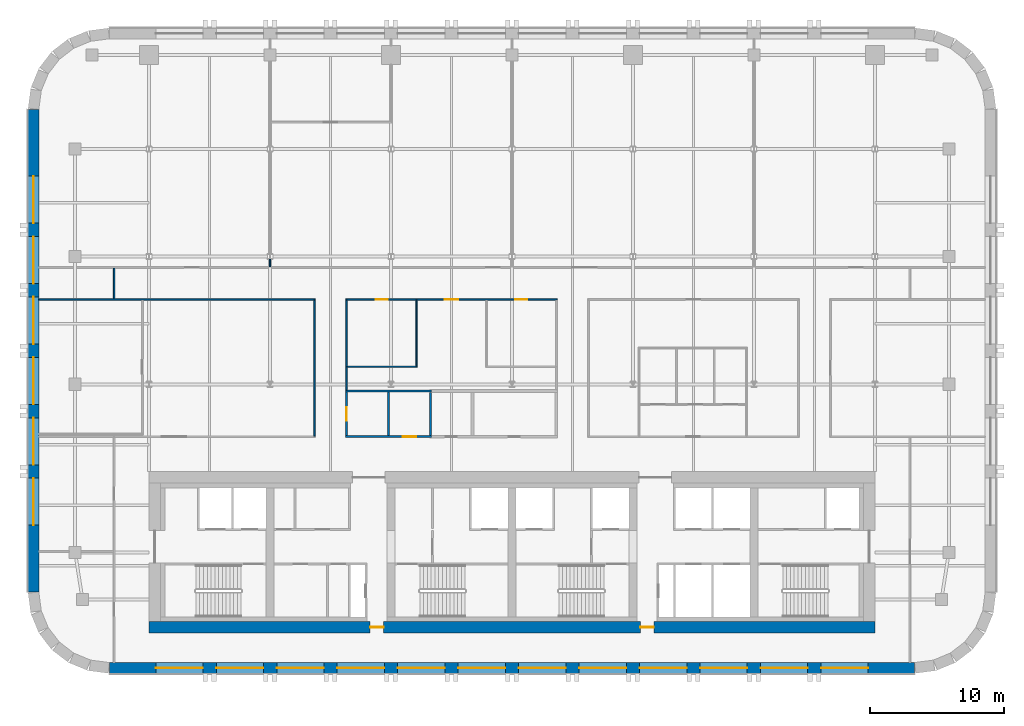
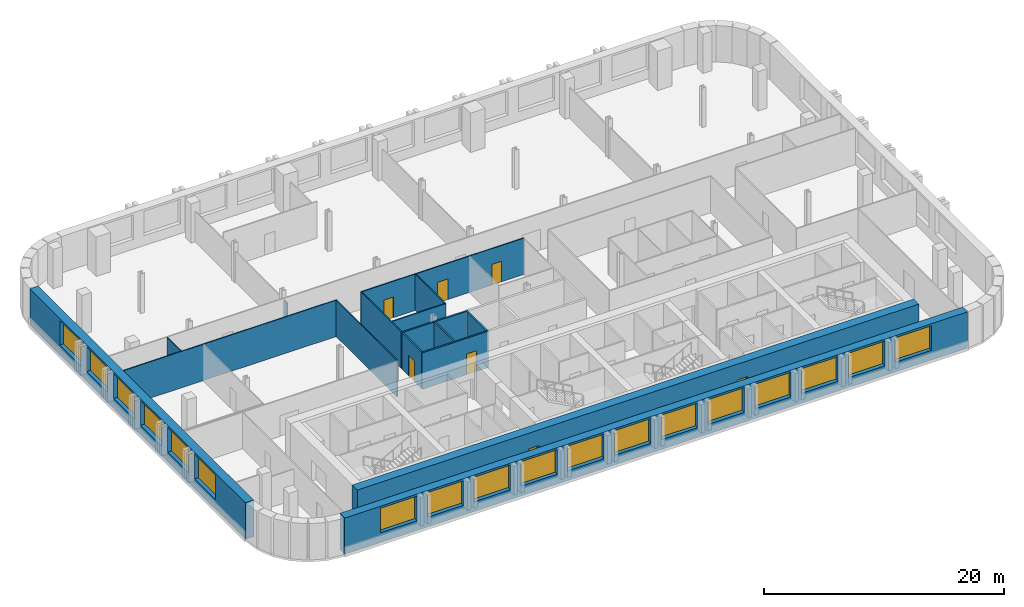
# One storey, part 4 of 11: 18 windows, 16 walls, 7 doors, 25 openings.
"""IFC4 building model written with IfcOpenShell, lengths in metres."""

from ifc_helpers import new_model, si_unit, direction, frame, frame_2d, origin, place, context, subcontext, project, spatial, rectangle, extrude, material, layer, layer_set, type_object, element, fill, save


model = new_model("IFC4")

# Units and contexts
model_context = context("Model", 3, precision=1e-05, world=origin(), true_north=direction((0.0, 1.0)))
body_context = subcontext(model_context, "Body", "Model", "MODEL_VIEW")
ifc_project = project(units=[si_unit("LENGTHUNIT", "METRE"), si_unit("AREAUNIT", "SQUARE_METRE"), si_unit("VOLUMEUNIT", "CUBIC_METRE"), si_unit("PLANEANGLEUNIT", "RADIAN"), si_unit("MASSUNIT", "GRAM", prefix="KILO")], contexts=[model_context])

# Site, building, storey
site_placement = place(None, origin())
site = spatial("IfcSite", under=ifc_project, at=site_placement, CompositionType="ELEMENT")
building_placement = place(site_placement, origin())
building = spatial("IfcBuilding", under=site, at=building_placement, Name="Zellij Exchange Tower", CompositionType="ELEMENT")
storey_placement = place(building_placement, frame((0.0, 0.0, 208.5)))
storey = spatial("IfcBuildingStorey", under=building, at=storey_placement, Name="L48", CompositionType="ELEMENT", Elevation=208.5)

# Wall, openings, doors
ifc_material_1 = material(Name="Concrete C60/75", Category="concrete")
ifc_layer_1 = layer(ifc_material_1, 0.85009765625)
ifc_layer_set_1 = layer_set([ifc_layer_1], Name="Concrete C60/75")
wall_type_1 = type_object("IfcWallType", Name="CORE-SW 850 C60/75", PredefinedType="SHEAR", material=ifc_layer_set_1)
wall_1_placement = place(storey_placement, frame((-27.0, -13.574951171875, 0.0), z_axis=(0.0, 0.0, 1.0), x_axis=(1.0, 0.0, 0.0)))
wall_1 = element("IfcWall", 1, at=wall_1_placement, inside=storey, type_object=wall_type_1, Name="Core shear wall rear L48", PredefinedType="SHEAR", context=body_context, shape_type="SweptSolid", body=[
    extrude(rectangle(XDim=54.0, YDim=0.85009765625, at=frame_2d((27.0, 0.0))), origin(), (0.0, 0.0, 1.0), 3.699951171875),
])
opening_1_placement = place(wall_1_placement, frame((16.449951171875, 0.0, 0.0)))
opening_1 = element("IfcOpeningElement", 2, at=opening_1_placement, cuts=wall_1, Name="Opening CA-25.11", PredefinedType="OPENING", context=body_context, shape_type="SweptSolid", body=[
    extrude(rectangle(XDim=1.0, YDim=2.10009765625, at=frame_2d((0.5, 1.050048828125))), frame((0.0, 0.43701171875, 0.0), z_axis=(0.0, -1.0, 0.0), x_axis=(1.0, 0.0, 0.0)), (0.0, 0.0, 1.0), 0.8740234375),
])
opening_2_placement = place(wall_1_placement, frame((36.550048828125, 0.0, 0.0)))
opening_2 = element("IfcOpeningElement", 3, at=opening_2_placement, cuts=wall_1, Name="Opening CA-25.19", PredefinedType="OPENING", context=body_context, shape_type="SweptSolid", body=[
    extrude(rectangle(XDim=1.0, YDim=2.10009765625, at=frame_2d((0.5, 1.050048828125))), frame((0.0, 0.43701171875, 0.0), z_axis=(0.0, -1.0, 0.0), x_axis=(1.0, 0.0, 0.0)), (0.0, 0.0, 1.0), 0.8740234375),
])
ifc_material_2 = material(Name="Hollow metal fire door")
door_type_1 = type_object("IfcDoorType", Name="CORE-D CR Core rear door 1000x2100 20 MIN", OperationType="NOTDEFINED", PredefinedType="DOOR", material=ifc_material_2)
door_1_placement = place(opening_1_placement, origin())
door_1 = element("IfcDoor", 4, at=door_1_placement, inside=storey, type_object=door_type_1, Name="Core rear door CA-25.11", OperationType="SINGLE_SWING_RIGHT", OverallHeight=2.10009765625, OverallWidth=1.0, PredefinedType="DOOR", context=body_context, shape_type="SweptSolid", body=[
    extrude(rectangle(XDim=1.0, YDim=2.10009765625, at=frame_2d((0.5, 1.050048828125))), frame((0.0, 0.02490234375, 0.0), z_axis=(0.0, -1.0, 0.0), x_axis=(1.0, 0.0, 0.0)), (0.0, 0.0, 1.0), 0.050048828125),
])
fill(opening_1, door_1)
door_2_placement = place(opening_2_placement, origin())
door_2 = element("IfcDoor", 5, at=door_2_placement, inside=storey, type_object=door_type_1, Name="Core rear door CA-25.19", OperationType="SINGLE_SWING_LEFT", OverallHeight=2.10009765625, OverallWidth=1.0, PredefinedType="DOOR", context=body_context, shape_type="SweptSolid", body=[
    extrude(rectangle(XDim=1.0, YDim=2.10009765625, at=frame_2d((0.5, 1.050048828125))), frame((0.0, 0.02490234375, 0.0), z_axis=(0.0, -1.0, 0.0), x_axis=(1.0, 0.0, 0.0)), (0.0, 0.0, 1.0), 0.050048828125),
])
fill(opening_2, door_2)

# Wall, openings, windows
ifc_material_3 = material(Name="Precast concrete C40/50", Category="concrete")
ifc_layer_2 = layer(ifc_material_3, 0.800048828125)
ifc_layer_set_2 = layer_set([ifc_layer_2], Name="Precast concrete C40/50")
wall_type_2 = type_object("IfcWallType", Name="ENV-EW1 Precast stone-piered wall 800", PredefinedType="SOLIDWALL", material=ifc_layer_set_2)
wall_2_placement = place(storey_placement, frame((-29.947509765625, -16.60009765625, 0.0), z_axis=(0.0, 0.0, 1.0), x_axis=(1.0, 0.0, 0.0)))
wall_2 = element("IfcWall", 6, at=wall_2_placement, inside=storey, type_object=wall_type_2, Name="fac.L48.00", PredefinedType="SOLIDWALL", context=body_context, shape_type="SweptSolid", body=[
    extrude(rectangle(XDim=59.89501953125, YDim=0.800048828125, at=frame_2d((29.947509765625, 0.0))), origin(), (0.0, 0.0, 1.0), 3.699951171875),
])
opening_3_placement = place(wall_2_placement, frame((3.447509765625, 0.0, 1.0)))
opening_3 = element("IfcOpeningElement", 7, at=opening_3_placement, cuts=wall_2, Name="Opening FZ3.01", PredefinedType="OPENING", context=body_context, shape_type="SweptSolid", body=[
    extrude(rectangle(XDim=3.5, YDim=2.5, at=frame_2d((1.75, 1.25))), frame((0.0, 0.412109375, 0.0), z_axis=(0.0, -1.0, 0.0), x_axis=(1.0, 0.0, 0.0)), (0.0, 0.0, 1.0), 0.823974609375),
])
opening_4_placement = place(wall_2_placement, frame((7.947509765625, 0.0, 1.0)))
opening_4 = element("IfcOpeningElement", 8, at=opening_4_placement, cuts=wall_2, Name="Opening FZ3.02", PredefinedType="OPENING", context=body_context, shape_type="SweptSolid", body=[
    extrude(rectangle(XDim=3.5, YDim=2.5, at=frame_2d((1.75, 1.25))), frame((0.0, 0.412109375, 0.0), z_axis=(0.0, -1.0, 0.0), x_axis=(1.0, 0.0, 0.0)), (0.0, 0.0, 1.0), 0.823974609375),
])
opening_5_placement = place(wall_2_placement, frame((12.447509765625, 0.0, 1.0)))
opening_5 = element("IfcOpeningElement", 9, at=opening_5_placement, cuts=wall_2, Name="Opening FZ3.03", PredefinedType="OPENING", context=body_context, shape_type="SweptSolid", body=[
    extrude(rectangle(XDim=3.5, YDim=2.5, at=frame_2d((1.75, 1.25))), frame((0.0, 0.412109375, 0.0), z_axis=(0.0, -1.0, 0.0), x_axis=(1.0, 0.0, 0.0)), (0.0, 0.0, 1.0), 0.823974609375),
])
opening_6_placement = place(wall_2_placement, frame((16.947509765625, 0.0, 1.0)))
opening_6 = element("IfcOpeningElement", 10, at=opening_6_placement, cuts=wall_2, Name="Opening FZ3.04", PredefinedType="OPENING", context=body_context, shape_type="SweptSolid", body=[
    extrude(rectangle(XDim=3.5, YDim=2.5, at=frame_2d((1.75, 1.25))), frame((0.0, 0.412109375, 0.0), z_axis=(0.0, -1.0, 0.0), x_axis=(1.0, 0.0, 0.0)), (0.0, 0.0, 1.0), 0.823974609375),
])
opening_7_placement = place(wall_2_placement, frame((21.447509765625, 0.0, 1.0)))
opening_7 = element("IfcOpeningElement", 11, at=opening_7_placement, cuts=wall_2, Name="Opening FZ3.05", PredefinedType="OPENING", context=body_context, shape_type="SweptSolid", body=[
    extrude(rectangle(XDim=3.5, YDim=2.5, at=frame_2d((1.75, 1.25))), frame((0.0, 0.412109375, 0.0), z_axis=(0.0, -1.0, 0.0), x_axis=(1.0, 0.0, 0.0)), (0.0, 0.0, 1.0), 0.823974609375),
])
opening_8_placement = place(wall_2_placement, frame((25.947509765625, 0.0, 1.0)))
opening_8 = element("IfcOpeningElement", 12, at=opening_8_placement, cuts=wall_2, Name="Opening FZ3.06", PredefinedType="OPENING", context=body_context, shape_type="SweptSolid", body=[
    extrude(rectangle(XDim=3.5, YDim=2.5, at=frame_2d((1.75, 1.25))), frame((0.0, 0.412109375, 0.0), z_axis=(0.0, -1.0, 0.0), x_axis=(1.0, 0.0, 0.0)), (0.0, 0.0, 1.0), 0.823974609375),
])
opening_9_placement = place(wall_2_placement, frame((30.447509765625, 0.0, 1.0)))
opening_9 = element("IfcOpeningElement", 13, at=opening_9_placement, cuts=wall_2, Name="Opening FZ3.07", PredefinedType="OPENING", context=body_context, shape_type="SweptSolid", body=[
    extrude(rectangle(XDim=3.5, YDim=2.5, at=frame_2d((1.75, 1.25))), frame((0.0, 0.412109375, 0.0), z_axis=(0.0, -1.0, 0.0), x_axis=(1.0, 0.0, 0.0)), (0.0, 0.0, 1.0), 0.823974609375),
])
opening_10_placement = place(wall_2_placement, frame((34.947509765625, 0.0, 1.0)))
opening_10 = element("IfcOpeningElement", 14, at=opening_10_placement, cuts=wall_2, Name="Opening FZ3.08", PredefinedType="OPENING", context=body_context, shape_type="SweptSolid", body=[
    extrude(rectangle(XDim=3.5, YDim=2.5, at=frame_2d((1.75, 1.25))), frame((0.0, 0.412109375, 0.0), z_axis=(0.0, -1.0, 0.0), x_axis=(1.0, 0.0, 0.0)), (0.0, 0.0, 1.0), 0.823974609375),
])
opening_11_placement = place(wall_2_placement, frame((39.447509765625, 0.0, 1.0)))
opening_11 = element("IfcOpeningElement", 15, at=opening_11_placement, cuts=wall_2, Name="Opening FZ3.09", PredefinedType="OPENING", context=body_context, shape_type="SweptSolid", body=[
    extrude(rectangle(XDim=3.5, YDim=2.5, at=frame_2d((1.75, 1.25))), frame((0.0, 0.412109375, 0.0), z_axis=(0.0, -1.0, 0.0), x_axis=(1.0, 0.0, 0.0)), (0.0, 0.0, 1.0), 0.823974609375),
])
opening_12_placement = place(wall_2_placement, frame((43.947509765625, 0.0, 1.0)))
opening_12 = element("IfcOpeningElement", 16, at=opening_12_placement, cuts=wall_2, Name="Opening FZ3.10", PredefinedType="OPENING", context=body_context, shape_type="SweptSolid", body=[
    extrude(rectangle(XDim=3.5, YDim=2.5, at=frame_2d((1.75, 1.25))), frame((0.0, 0.412109375, 0.0), z_axis=(0.0, -1.0, 0.0), x_axis=(1.0, 0.0, 0.0)), (0.0, 0.0, 1.0), 0.823974609375),
])
opening_13_placement = place(wall_2_placement, frame((48.447509765625, 0.0, 1.0)))
opening_13 = element("IfcOpeningElement", 17, at=opening_13_placement, cuts=wall_2, Name="Opening FZ3.11", PredefinedType="OPENING", context=body_context, shape_type="SweptSolid", body=[
    extrude(rectangle(XDim=3.5, YDim=2.5, at=frame_2d((1.75, 1.25))), frame((0.0, 0.412109375, 0.0), z_axis=(0.0, -1.0, 0.0), x_axis=(1.0, 0.0, 0.0)), (0.0, 0.0, 1.0), 0.823974609375),
])
opening_14_placement = place(wall_2_placement, frame((52.947509765625, 0.0, 1.0)))
opening_14 = element("IfcOpeningElement", 18, at=opening_14_placement, cuts=wall_2, Name="Opening FZ3.12", PredefinedType="OPENING", context=body_context, shape_type="SweptSolid", body=[
    extrude(rectangle(XDim=3.5, YDim=2.5, at=frame_2d((1.75, 1.25))), frame((0.0, 0.412109375, 0.0), z_axis=(0.0, -1.0, 0.0), x_axis=(1.0, 0.0, 0.0)), (0.0, 0.0, 1.0), 0.823974609375),
])
ifc_material_4 = material(Name="Aluminium frame with insulating glass", Category="aluminium")
window_type = type_object("IfcWindowType", Name="ENV-W1 Window 3500x2500", PartitioningType="SINGLE_PANEL", PredefinedType="WINDOW", material=ifc_material_4)
window_1_placement = place(opening_3_placement, origin())
window_1 = element("IfcWindow", 19, at=window_1_placement, inside=storey, type_object=window_type, Name="Window FZ3.01", OverallHeight=2.5, OverallWidth=3.5, PartitioningType="SINGLE_PANEL", PredefinedType="WINDOW", context=body_context, shape_type="SweptSolid", body=[
    extrude(rectangle(XDim=3.5, YDim=2.5, at=frame_2d((1.75, 1.25))), frame((0.0, 0.030029296875, 0.0), z_axis=(0.0, -1.0, 0.0), x_axis=(1.0, 0.0, 0.0)), (0.0, 0.0, 1.0), 0.06005859375),
])
fill(opening_3, window_1)
window_2_placement = place(opening_4_placement, origin())
window_2 = element("IfcWindow", 20, at=window_2_placement, inside=storey, type_object=window_type, Name="Window FZ3.02", OverallHeight=2.5, OverallWidth=3.5, PartitioningType="SINGLE_PANEL", PredefinedType="WINDOW", context=body_context, shape_type="SweptSolid", body=[
    extrude(rectangle(XDim=3.5, YDim=2.5, at=frame_2d((1.75, 1.25))), frame((0.0, 0.030029296875, 0.0), z_axis=(0.0, -1.0, 0.0), x_axis=(1.0, 0.0, 0.0)), (0.0, 0.0, 1.0), 0.06005859375),
])
fill(opening_4, window_2)
window_3_placement = place(opening_5_placement, origin())
window_3 = element("IfcWindow", 21, at=window_3_placement, inside=storey, type_object=window_type, Name="Window FZ3.03", OverallHeight=2.5, OverallWidth=3.5, PartitioningType="SINGLE_PANEL", PredefinedType="WINDOW", context=body_context, shape_type="SweptSolid", body=[
    extrude(rectangle(XDim=3.5, YDim=2.5, at=frame_2d((1.75, 1.25))), frame((0.0, 0.030029296875, 0.0), z_axis=(0.0, -1.0, 0.0), x_axis=(1.0, 0.0, 0.0)), (0.0, 0.0, 1.0), 0.06005859375),
])
fill(opening_5, window_3)
window_4_placement = place(opening_6_placement, origin())
window_4 = element("IfcWindow", 22, at=window_4_placement, inside=storey, type_object=window_type, Name="Window FZ3.04", OverallHeight=2.5, OverallWidth=3.5, PartitioningType="SINGLE_PANEL", PredefinedType="WINDOW", context=body_context, shape_type="SweptSolid", body=[
    extrude(rectangle(XDim=3.5, YDim=2.5, at=frame_2d((1.75, 1.25))), frame((0.0, 0.030029296875, 0.0), z_axis=(0.0, -1.0, 0.0), x_axis=(1.0, 0.0, 0.0)), (0.0, 0.0, 1.0), 0.06005859375),
])
fill(opening_6, window_4)
window_5_placement = place(opening_7_placement, origin())
window_5 = element("IfcWindow", 23, at=window_5_placement, inside=storey, type_object=window_type, Name="Window FZ3.05", OverallHeight=2.5, OverallWidth=3.5, PartitioningType="SINGLE_PANEL", PredefinedType="WINDOW", context=body_context, shape_type="SweptSolid", body=[
    extrude(rectangle(XDim=3.5, YDim=2.5, at=frame_2d((1.75, 1.25))), frame((0.0, 0.030029296875, 0.0), z_axis=(0.0, -1.0, 0.0), x_axis=(1.0, 0.0, 0.0)), (0.0, 0.0, 1.0), 0.06005859375),
])
fill(opening_7, window_5)
window_6_placement = place(opening_8_placement, origin())
window_6 = element("IfcWindow", 24, at=window_6_placement, inside=storey, type_object=window_type, Name="Window FZ3.06", OverallHeight=2.5, OverallWidth=3.5, PartitioningType="SINGLE_PANEL", PredefinedType="WINDOW", context=body_context, shape_type="SweptSolid", body=[
    extrude(rectangle(XDim=3.5, YDim=2.5, at=frame_2d((1.75, 1.25))), frame((0.0, 0.030029296875, 0.0), z_axis=(0.0, -1.0, 0.0), x_axis=(1.0, 0.0, 0.0)), (0.0, 0.0, 1.0), 0.06005859375),
])
fill(opening_8, window_6)
window_7_placement = place(opening_9_placement, origin())
window_7 = element("IfcWindow", 25, at=window_7_placement, inside=storey, type_object=window_type, Name="Window FZ3.07", OverallHeight=2.5, OverallWidth=3.5, PartitioningType="SINGLE_PANEL", PredefinedType="WINDOW", context=body_context, shape_type="SweptSolid", body=[
    extrude(rectangle(XDim=3.5, YDim=2.5, at=frame_2d((1.75, 1.25))), frame((0.0, 0.030029296875, 0.0), z_axis=(0.0, -1.0, 0.0), x_axis=(1.0, 0.0, 0.0)), (0.0, 0.0, 1.0), 0.06005859375),
])
fill(opening_9, window_7)
window_8_placement = place(opening_10_placement, origin())
window_8 = element("IfcWindow", 26, at=window_8_placement, inside=storey, type_object=window_type, Name="Window FZ3.08", OverallHeight=2.5, OverallWidth=3.5, PartitioningType="SINGLE_PANEL", PredefinedType="WINDOW", context=body_context, shape_type="SweptSolid", body=[
    extrude(rectangle(XDim=3.5, YDim=2.5, at=frame_2d((1.75, 1.25))), frame((0.0, 0.030029296875, 0.0), z_axis=(0.0, -1.0, 0.0), x_axis=(1.0, 0.0, 0.0)), (0.0, 0.0, 1.0), 0.06005859375),
])
fill(opening_10, window_8)
window_9_placement = place(opening_11_placement, origin())
window_9 = element("IfcWindow", 27, at=window_9_placement, inside=storey, type_object=window_type, Name="Window FZ3.09", OverallHeight=2.5, OverallWidth=3.5, PartitioningType="SINGLE_PANEL", PredefinedType="WINDOW", context=body_context, shape_type="SweptSolid", body=[
    extrude(rectangle(XDim=3.5, YDim=2.5, at=frame_2d((1.75, 1.25))), frame((0.0, 0.030029296875, 0.0), z_axis=(0.0, -1.0, 0.0), x_axis=(1.0, 0.0, 0.0)), (0.0, 0.0, 1.0), 0.06005859375),
])
fill(opening_11, window_9)
window_10_placement = place(opening_12_placement, origin())
window_10 = element("IfcWindow", 28, at=window_10_placement, inside=storey, type_object=window_type, Name="Window FZ3.10", OverallHeight=2.5, OverallWidth=3.5, PartitioningType="SINGLE_PANEL", PredefinedType="WINDOW", context=body_context, shape_type="SweptSolid", body=[
    extrude(rectangle(XDim=3.5, YDim=2.5, at=frame_2d((1.75, 1.25))), frame((0.0, 0.030029296875, 0.0), z_axis=(0.0, -1.0, 0.0), x_axis=(1.0, 0.0, 0.0)), (0.0, 0.0, 1.0), 0.06005859375),
])
fill(opening_12, window_10)
window_11_placement = place(opening_13_placement, origin())
window_11 = element("IfcWindow", 29, at=window_11_placement, inside=storey, type_object=window_type, Name="Window FZ3.11", OverallHeight=2.5, OverallWidth=3.5, PartitioningType="SINGLE_PANEL", PredefinedType="WINDOW", context=body_context, shape_type="SweptSolid", body=[
    extrude(rectangle(XDim=3.5, YDim=2.5, at=frame_2d((1.75, 1.25))), frame((0.0, 0.030029296875, 0.0), z_axis=(0.0, -1.0, 0.0), x_axis=(1.0, 0.0, 0.0)), (0.0, 0.0, 1.0), 0.06005859375),
])
fill(opening_13, window_11)
window_12_placement = place(opening_14_placement, origin())
window_12 = element("IfcWindow", 30, at=window_12_placement, inside=storey, type_object=window_type, Name="Window FZ3.12", OverallHeight=2.5, OverallWidth=3.5, PartitioningType="SINGLE_PANEL", PredefinedType="WINDOW", context=body_context, shape_type="SweptSolid", body=[
    extrude(rectangle(XDim=3.5, YDim=2.5, at=frame_2d((1.75, 1.25))), frame((0.0, 0.030029296875, 0.0), z_axis=(0.0, -1.0, 0.0), x_axis=(1.0, 0.0, 0.0)), (0.0, 0.0, 1.0), 0.06005859375),
])
fill(opening_14, window_12)

wall_3_placement = place(storey_placement, frame((-35.60009765625, 24.947509765625, 0.0), z_axis=(0.0, 0.0, 1.0), x_axis=(0.0, -1.0, 0.0)))
wall_3 = element("IfcWall", 31, at=wall_3_placement, inside=storey, type_object=wall_type_2, Name="fac.L48.21", PredefinedType="SOLIDWALL", context=body_context, shape_type="SweptSolid", body=[
    extrude(rectangle(XDim=35.89501953125, YDim=0.800048828125, at=frame_2d((17.947509765625, 0.0))), origin(), (0.0, 0.0, 1.0), 3.699951171875),
])
opening_15_placement = place(wall_3_placement, frame((4.9638671875, 0.0, 1.0)))
opening_15 = element("IfcOpeningElement", 32, at=opening_15_placement, cuts=wall_3, Name="Opening FZ3.31", PredefinedType="OPENING", context=body_context, shape_type="SweptSolid", body=[
    extrude(rectangle(XDim=3.5, YDim=2.5, at=frame_2d((1.75, 1.25))), frame((0.0, 0.412109375, 0.0), z_axis=(0.0, -1.0, 0.0), x_axis=(1.0, 0.0, 0.0)), (0.0, 0.0, 1.0), 0.823974609375),
])
opening_16_placement = place(wall_3_placement, frame((9.45751953125, 0.0, 1.0)))
opening_16 = element("IfcOpeningElement", 33, at=opening_16_placement, cuts=wall_3, Name="Opening FZ3.32", PredefinedType="OPENING", context=body_context, shape_type="SweptSolid", body=[
    extrude(rectangle(XDim=3.5, YDim=2.5, at=frame_2d((1.75, 1.25))), frame((0.0, 0.412109375, 0.0), z_axis=(0.0, -1.0, 0.0), x_axis=(1.0, 0.0, 0.0)), (0.0, 0.0, 1.0), 0.823974609375),
])
opening_17_placement = place(wall_3_placement, frame((13.950927734375, 0.0, 1.0)))
opening_17 = element("IfcOpeningElement", 34, at=opening_17_placement, cuts=wall_3, Name="Opening FZ3.33", PredefinedType="OPENING", context=body_context, shape_type="SweptSolid", body=[
    extrude(rectangle(XDim=3.5, YDim=2.5, at=frame_2d((1.75, 1.25))), frame((0.0, 0.412109375, 0.0), z_axis=(0.0, -1.0, 0.0), x_axis=(1.0, 0.0, 0.0)), (0.0, 0.0, 1.0), 0.823974609375),
])
opening_18_placement = place(wall_3_placement, frame((18.4443359375, 0.0, 1.0)))
opening_18 = element("IfcOpeningElement", 35, at=opening_18_placement, cuts=wall_3, Name="Opening FZ3.34", PredefinedType="OPENING", context=body_context, shape_type="SweptSolid", body=[
    extrude(rectangle(XDim=3.5, YDim=2.5, at=frame_2d((1.75, 1.25))), frame((0.0, 0.412109375, 0.0), z_axis=(0.0, -1.0, 0.0), x_axis=(1.0, 0.0, 0.0)), (0.0, 0.0, 1.0), 0.823974609375),
])
opening_19_placement = place(wall_3_placement, frame((22.937744140625, 0.0, 1.0)))
opening_19 = element("IfcOpeningElement", 36, at=opening_19_placement, cuts=wall_3, Name="Opening FZ3.35", PredefinedType="OPENING", context=body_context, shape_type="SweptSolid", body=[
    extrude(rectangle(XDim=3.5, YDim=2.5, at=frame_2d((1.75, 1.25))), frame((0.0, 0.412109375, 0.0), z_axis=(0.0, -1.0, 0.0), x_axis=(1.0, 0.0, 0.0)), (0.0, 0.0, 1.0), 0.823974609375),
])
opening_20_placement = place(wall_3_placement, frame((27.43115234375, 0.0, 1.0)))
opening_20 = element("IfcOpeningElement", 37, at=opening_20_placement, cuts=wall_3, Name="Opening FZ3.36", PredefinedType="OPENING", context=body_context, shape_type="SweptSolid", body=[
    extrude(rectangle(XDim=3.5, YDim=2.5, at=frame_2d((1.75, 1.25))), frame((0.0, 0.412109375, 0.0), z_axis=(0.0, -1.0, 0.0), x_axis=(1.0, 0.0, 0.0)), (0.0, 0.0, 1.0), 0.823974609375),
])
window_13_placement = place(opening_15_placement, origin())
window_13 = element("IfcWindow", 38, at=window_13_placement, inside=storey, type_object=window_type, Name="Window FZ3.31", OverallHeight=2.5, OverallWidth=3.5, PartitioningType="SINGLE_PANEL", PredefinedType="WINDOW", context=body_context, shape_type="SweptSolid", body=[
    extrude(rectangle(XDim=3.5, YDim=2.5, at=frame_2d((1.75, 1.25))), frame((0.0, 0.030029296875, 0.0), z_axis=(0.0, -1.0, 0.0), x_axis=(1.0, 0.0, 0.0)), (0.0, 0.0, 1.0), 0.06005859375),
])
fill(opening_15, window_13)
window_14_placement = place(opening_16_placement, origin())
window_14 = element("IfcWindow", 39, at=window_14_placement, inside=storey, type_object=window_type, Name="Window FZ3.32", OverallHeight=2.5, OverallWidth=3.5, PartitioningType="SINGLE_PANEL", PredefinedType="WINDOW", context=body_context, shape_type="SweptSolid", body=[
    extrude(rectangle(XDim=3.5, YDim=2.5, at=frame_2d((1.75, 1.25))), frame((0.0, 0.030029296875, 0.0), z_axis=(0.0, -1.0, 0.0), x_axis=(1.0, 0.0, 0.0)), (0.0, 0.0, 1.0), 0.06005859375),
])
fill(opening_16, window_14)
window_15_placement = place(opening_17_placement, origin())
window_15 = element("IfcWindow", 40, at=window_15_placement, inside=storey, type_object=window_type, Name="Window FZ3.33", OverallHeight=2.5, OverallWidth=3.5, PartitioningType="SINGLE_PANEL", PredefinedType="WINDOW", context=body_context, shape_type="SweptSolid", body=[
    extrude(rectangle(XDim=3.5, YDim=2.5, at=frame_2d((1.75, 1.25))), frame((0.0, 0.030029296875, 0.0), z_axis=(0.0, -1.0, 0.0), x_axis=(1.0, 0.0, 0.0)), (0.0, 0.0, 1.0), 0.06005859375),
])
fill(opening_17, window_15)
window_16_placement = place(opening_18_placement, origin())
window_16 = element("IfcWindow", 41, at=window_16_placement, inside=storey, type_object=window_type, Name="Window FZ3.34", OverallHeight=2.5, OverallWidth=3.5, PartitioningType="SINGLE_PANEL", PredefinedType="WINDOW", context=body_context, shape_type="SweptSolid", body=[
    extrude(rectangle(XDim=3.5, YDim=2.5, at=frame_2d((1.75, 1.25))), frame((0.0, 0.030029296875, 0.0), z_axis=(0.0, -1.0, 0.0), x_axis=(1.0, 0.0, 0.0)), (0.0, 0.0, 1.0), 0.06005859375),
])
fill(opening_18, window_16)
window_17_placement = place(opening_19_placement, origin())
window_17 = element("IfcWindow", 42, at=window_17_placement, inside=storey, type_object=window_type, Name="Window FZ3.35", OverallHeight=2.5, OverallWidth=3.5, PartitioningType="SINGLE_PANEL", PredefinedType="WINDOW", context=body_context, shape_type="SweptSolid", body=[
    extrude(rectangle(XDim=3.5, YDim=2.5, at=frame_2d((1.75, 1.25))), frame((0.0, 0.030029296875, 0.0), z_axis=(0.0, -1.0, 0.0), x_axis=(1.0, 0.0, 0.0)), (0.0, 0.0, 1.0), 0.06005859375),
])
fill(opening_19, window_17)
window_18_placement = place(opening_20_placement, origin())
window_18 = element("IfcWindow", 43, at=window_18_placement, inside=storey, type_object=window_type, Name="Window FZ3.36", OverallHeight=2.5, OverallWidth=3.5, PartitioningType="SINGLE_PANEL", PredefinedType="WINDOW", context=body_context, shape_type="SweptSolid", body=[
    extrude(rectangle(XDim=3.5, YDim=2.5, at=frame_2d((1.75, 1.25))), frame((0.0, 0.030029296875, 0.0), z_axis=(0.0, -1.0, 0.0), x_axis=(1.0, 0.0, 0.0)), (0.0, 0.0, 1.0), 0.06005859375),
])
fill(opening_20, window_18)

# Walls
ifc_material_5 = material(Name="Gypsum board partition on steel studs", Category="steel")
ifc_layer_3 = layer(ifc_material_5, 0.10009765625)
ifc_layer_set_3 = layer_set([ifc_layer_3], Name="Gypsum board partition on steel studs")
wall_type_3 = type_object("IfcWallType", Name="FIT-PARTITION-100", PredefinedType="PARTITIONING", material=ifc_layer_set_3)
wall_4_placement = place(storey_placement, frame((-14.699951171875, 0.64990234375, 0.0), z_axis=(0.0, 0.0, 1.0), x_axis=(0.0, 1.0, 0.0)))
element("IfcWall", 44, at=wall_4_placement, inside=storey, type_object=wall_type_3, Name="FIT-PARTITION-100 006", PredefinedType="PARTITIONING", context=body_context, shape_type="SweptSolid", body=[
    extrude(rectangle(XDim=10.10009765625, YDim=0.10009765625, at=frame_2d((5.050048828125, 0.0))), origin(), (0.0, 0.0, 1.0), 3.699951171875),
])
wall_5_placement = place(storey_placement, frame((-12.300048828125, 4.074951171875, 0.0), z_axis=(0.0, 0.0, 1.0), x_axis=(0.0, 1.0, 0.0)))
element("IfcWall", 45, at=wall_5_placement, inside=storey, type_object=wall_type_3, Name="FIT-PARTITION-100 027", PredefinedType="PARTITIONING", context=body_context, shape_type="SweptSolid", body=[
    extrude(rectangle(XDim=6.675048828125, YDim=0.10009765625, at=frame_2d((3.33740234375, 0.0))), origin(), (0.0, 0.0, 1.0), 3.699951171875),
])
wall_6_placement = place(storey_placement, frame((-12.25, 5.800048828125, 0.0), z_axis=(0.0, 0.0, 1.0), x_axis=(1.0, 0.0, 0.0)))
element("IfcWall", 46, at=wall_6_placement, inside=storey, type_object=wall_type_3, Name="FIT-PARTITION-100 030", PredefinedType="PARTITIONING", context=body_context, shape_type="SweptSolid", body=[
    extrude(rectangle(XDim=5.199951171875, YDim=0.10009765625, at=frame_2d((2.60009765625, 0.0))), origin(), (0.0, 0.0, 1.0), 3.699951171875),
])
wall_7_placement = place(storey_placement, frame((-7.10009765625, 5.85009765625, 0.0), z_axis=(0.0, 0.0, 1.0), x_axis=(0.0, 1.0, 0.0)))
element("IfcWall", 47, at=wall_7_placement, inside=storey, type_object=wall_type_3, Name="FIT-PARTITION-100 031", PredefinedType="PARTITIONING", context=body_context, shape_type="SweptSolid", body=[
    extrude(rectangle(XDim=4.89990234375, YDim=0.10009765625, at=frame_2d((2.449951171875, 0.0))), origin(), (0.0, 0.0, 1.0), 3.699951171875),
])
wall_8_placement = place(storey_placement, frame((-35.199951171875, 10.800048828125, 0.0), z_axis=(0.0, 0.0, 1.0), x_axis=(1.0, 0.0, 0.0)))
element("IfcWall", 48, at=wall_8_placement, inside=storey, type_object=wall_type_3, Name="FIT-PARTITION-100 035", PredefinedType="PARTITIONING", context=body_context, shape_type="SweptSolid", body=[
    extrude(rectangle(XDim=20.550048828125, YDim=0.10009765625, at=frame_2d((10.27490234375, 0.0))), origin(), (0.0, 0.0, 1.0), 3.699951171875),
])
wall_9_placement = place(storey_placement, frame((-29.60009765625, 10.85009765625, 0.0), z_axis=(0.0, 0.0, 1.0), x_axis=(0.0, 1.0, 0.0)))
element("IfcWall", 49, at=wall_9_placement, inside=storey, type_object=wall_type_3, Name="FIT-PARTITION-100 036", PredefinedType="PARTITIONING", context=body_context, shape_type="SweptSolid", body=[
    extrude(rectangle(XDim=2.2998046875, YDim=0.10009765625, at=frame_2d((1.14990234375, 0.0))), origin(), (0.0, 0.0, 1.0), 3.699951171875),
])

# Wall, openings, doors
wall_10_placement = place(storey_placement, frame((-12.35009765625, 10.800048828125, 0.0), z_axis=(0.0, 0.0, 1.0), x_axis=(1.0, 0.0, 0.0)))
wall_10 = element("IfcWall", 50, at=wall_10_placement, inside=storey, type_object=wall_type_3, Name="FIT-PARTITION-100 037", PredefinedType="PARTITIONING", context=body_context, shape_type="SweptSolid", body=[
    extrude(rectangle(XDim=15.7001953125, YDim=0.10009765625, at=frame_2d((7.85009765625, 0.0))), origin(), (0.0, 0.0, 1.0), 3.699951171875),
])
opening_21_placement = place(wall_10_placement, frame((2.199951171875, 0.0, 0.0)))
opening_21 = element("IfcOpeningElement", 51, at=opening_21_placement, cuts=wall_10, Name="Opening O3E.15", PredefinedType="OPENING", context=body_context, shape_type="SweptSolid", body=[
    extrude(rectangle(XDim=0.89990234375, YDim=2.10009765625, at=frame_2d((0.449951171875, 1.050048828125))), frame((0.0, 0.06201171875, 0.0), z_axis=(0.0, -1.0, 0.0), x_axis=(1.0, 0.0, 0.0)), (0.0, 0.0, 1.0), 0.1240234375),
])
opening_22_placement = place(wall_10_placement, frame((7.35009765625, 0.0, 0.0)))
opening_22 = element("IfcOpeningElement", 52, at=opening_22_placement, cuts=wall_10, Name="Opening O3E.16", PredefinedType="OPENING", context=body_context, shape_type="SweptSolid", body=[
    extrude(rectangle(XDim=1.0, YDim=2.10009765625, at=frame_2d((0.5, 1.050048828125))), frame((0.0, 0.06201171875, 0.0), z_axis=(0.0, -1.0, 0.0), x_axis=(1.0, 0.0, 0.0)), (0.0, 0.0, 1.0), 0.1240234375),
])
opening_23_placement = place(wall_10_placement, frame((12.60009765625, 0.0, 0.0)))
opening_23 = element("IfcOpeningElement", 53, at=opening_23_placement, cuts=wall_10, Name="Opening O3E.17", PredefinedType="OPENING", context=body_context, shape_type="SweptSolid", body=[
    extrude(rectangle(XDim=0.89990234375, YDim=2.10009765625, at=frame_2d((0.449951171875, 1.050048828125))), frame((0.0, 0.06201171875, 0.0), z_axis=(0.0, -1.0, 0.0), x_axis=(1.0, 0.0, 0.0)), (0.0, 0.0, 1.0), 0.1240234375),
])
ifc_material_6 = material(Name="Timber door set", Category="wood")
door_type_2 = type_object("IfcDoorType", Name="FIT-D1-ROOM-900X2100", OperationType="SINGLE_SWING_LEFT", PredefinedType="DOOR", material=ifc_material_6)
door_3_placement = place(opening_21_placement, origin())
door_3 = element("IfcDoor", 54, at=door_3_placement, inside=storey, type_object=door_type_2, Name="Door O3E.15", OperationType="SINGLE_SWING_RIGHT", OverallHeight=2.10009765625, OverallWidth=0.89990234375, PredefinedType="DOOR", context=body_context, shape_type="SweptSolid", body=[
    extrude(rectangle(XDim=0.89990234375, YDim=2.10009765625, at=frame_2d((0.449951171875, 1.050048828125))), frame((0.0, 0.02490234375, 0.0), z_axis=(0.0, -1.0, 0.0), x_axis=(1.0, 0.0, 0.0)), (0.0, 0.0, 1.0), 0.050048828125),
])
fill(opening_21, door_3)
door_4_placement = place(opening_23_placement, origin())
door_4 = element("IfcDoor", 55, at=door_4_placement, inside=storey, type_object=door_type_2, Name="Door O3E.17", OperationType="SINGLE_SWING_LEFT", OverallHeight=2.10009765625, OverallWidth=0.89990234375, PredefinedType="DOOR", context=body_context, shape_type="SweptSolid", body=[
    extrude(rectangle(XDim=0.89990234375, YDim=2.10009765625, at=frame_2d((0.449951171875, 1.050048828125))), frame((0.0, 0.02490234375, 0.0), z_axis=(0.0, -1.0, 0.0), x_axis=(1.0, 0.0, 0.0)), (0.0, 0.0, 1.0), 0.050048828125),
])
fill(opening_23, door_4)
door_type_3 = type_object("IfcDoorType", Name="FIT-D2-WIDE-1000X2100", OperationType="SINGLE_SWING_LEFT", PredefinedType="DOOR", material=ifc_material_6)
door_5_placement = place(opening_22_placement, origin())
door_5 = element("IfcDoor", 56, at=door_5_placement, inside=storey, type_object=door_type_3, Name="Door O3E.16", OperationType="SINGLE_SWING_LEFT", OverallHeight=2.10009765625, OverallWidth=1.0, PredefinedType="DOOR", context=body_context, shape_type="SweptSolid", body=[
    extrude(rectangle(XDim=1.0, YDim=2.10009765625, at=frame_2d((0.5, 1.050048828125))), frame((0.0, 0.02490234375, 0.0), z_axis=(0.0, -1.0, 0.0), x_axis=(1.0, 0.0, 0.0)), (0.0, 0.0, 1.0), 0.050048828125),
])
fill(opening_22, door_5)

# Wall
wall_11_placement = place(storey_placement, frame((-18.0, 13.25, 0.0), z_axis=(0.0, 0.0, 1.0), x_axis=(0.0, 1.0, 0.0)))
element("IfcWall", 57, at=wall_11_placement, inside=storey, type_object=wall_type_3, Name="FIT-PARTITION-100 042", PredefinedType="PARTITIONING", context=body_context, shape_type="SweptSolid", body=[
    extrude(rectangle(XDim=0.537841796875, YDim=0.10009765625, at=frame_2d((0.26904296875, 0.0))), origin(), (0.0, 0.0, 1.0), 3.093017578125),
])

# Wall, opening, door
ifc_material_7 = material(Name="Gypsum board shaft-wall partition", Category="gypsum")
ifc_layer_4 = layer(ifc_material_7, 0.14990234375)
ifc_layer_set_4 = layer_set([ifc_layer_4], Name="Gypsum board shaft-wall partition")
wall_type_4 = type_object("IfcWallType", Name="FIT-PARTITION-150-EI60", PredefinedType="PARTITIONING", material=ifc_layer_set_4)
wall_12_placement = place(storey_placement, frame((-12.375, 0.60009765625, 0.0), z_axis=(0.0, 0.0, 1.0), x_axis=(1.0, 0.0, 0.0)))
wall_12 = element("IfcWall", 58, at=wall_12_placement, inside=storey, type_object=wall_type_4, Name="FIT-PARTITION-150-EI60 007", PredefinedType="PARTITIONING", context=body_context, shape_type="SweptSolid", body=[
    extrude(rectangle(XDim=6.389892578125, YDim=0.14990234375, at=frame_2d((3.19482421875, 0.0))), origin(), (0.0, 0.0, 1.0), 3.699951171875),
])
opening_24_placement = place(wall_12_placement, frame((4.2451171875, 0.0, 0.0)))
opening_24 = element("IfcOpeningElement", 59, at=opening_24_placement, cuts=wall_12, Name="Opening O3E.05", PredefinedType="OPENING", context=body_context, shape_type="SweptSolid", body=[
    extrude(rectangle(XDim=1.0, YDim=2.10009765625, at=frame_2d((0.5, 1.050048828125))), frame((0.0, 0.0869140625, 0.0), z_axis=(0.0, -1.0, 0.0), x_axis=(1.0, 0.0, 0.0)), (0.0, 0.0, 1.0), 0.173828125),
])
ifc_material_8 = material(Name="Steel fire door set", Category="steel")
door_type_4 = type_object("IfcDoorType", Name="FIT-D4-FIRE-1000X2100", OperationType="SINGLE_SWING_LEFT", PredefinedType="DOOR", material=ifc_material_8)
door_6_placement = place(opening_24_placement, origin())
door_6 = element("IfcDoor", 60, at=door_6_placement, inside=storey, type_object=door_type_4, Name="Door O3E.05", OperationType="SINGLE_SWING_LEFT", OverallHeight=2.10009765625, OverallWidth=1.0, PredefinedType="DOOR", context=body_context, shape_type="SweptSolid", body=[
    extrude(rectangle(XDim=1.0, YDim=2.10009765625, at=frame_2d((0.5, 1.050048828125))), frame((0.0, 0.02490234375, 0.0), z_axis=(0.0, -1.0, 0.0), x_axis=(1.0, 0.0, 0.0)), (0.0, 0.0, 1.0), 0.050048828125),
])
fill(opening_24, door_6)

wall_13_placement = place(storey_placement, frame((-12.300048828125, 0.675048828125, 0.0), z_axis=(0.0, 0.0, 1.0), x_axis=(0.0, 1.0, 0.0)))
wall_13 = element("IfcWall", 61, at=wall_13_placement, inside=storey, type_object=wall_type_4, Name="FIT-PARTITION-150-EI60 008", PredefinedType="PARTITIONING", context=body_context, shape_type="SweptSolid", body=[
    extrude(rectangle(XDim=3.25, YDim=0.14990234375, at=frame_2d((1.625, 0.0))), origin(), (0.0, 0.0, 1.0), 3.699951171875),
])
opening_25_placement = place(wall_13_placement, frame((1.125, 0.0, 0.0)))
opening_25 = element("IfcOpeningElement", 62, at=opening_25_placement, cuts=wall_13, Name="Opening O3E.09", PredefinedType="OPENING", context=body_context, shape_type="SweptSolid", body=[
    extrude(rectangle(XDim=1.0, YDim=2.10009765625, at=frame_2d((0.5, 1.050048828125))), frame((0.0, 0.0869140625, 0.0), z_axis=(0.0, -1.0, 0.0), x_axis=(1.0, 0.0, 0.0)), (0.0, 0.0, 1.0), 0.173828125),
])
door_7_placement = place(opening_25_placement, origin())
door_7 = element("IfcDoor", 63, at=door_7_placement, inside=storey, type_object=door_type_4, Name="Door O3E.09", OperationType="SINGLE_SWING_RIGHT", OverallHeight=2.10009765625, OverallWidth=1.0, PredefinedType="DOOR", context=body_context, shape_type="SweptSolid", body=[
    extrude(rectangle(XDim=1.0, YDim=2.10009765625, at=frame_2d((0.5, 1.050048828125))), frame((0.0, 0.02490234375, 0.0), z_axis=(0.0, -1.0, 0.0), x_axis=(1.0, 0.0, 0.0)), (0.0, 0.0, 1.0), 0.050048828125),
])
fill(opening_25, door_7)

# Walls
wall_14_placement = place(storey_placement, frame((-9.179931640625, 0.675048828125, 0.0), z_axis=(0.0, 0.0, 1.0), x_axis=(0.0, 1.0, 0.0)))
element("IfcWall", 64, at=wall_14_placement, inside=storey, type_object=wall_type_4, Name="FIT-PARTITION-150-EI60 009", PredefinedType="PARTITIONING", context=body_context, shape_type="SweptSolid", body=[
    extrude(rectangle(XDim=3.25, YDim=0.14990234375, at=frame_2d((1.625, 0.0))), origin(), (0.0, 0.0, 1.0), 3.699951171875),
])
wall_15_placement = place(storey_placement, frame((-6.06005859375, 0.699951171875, 0.0), z_axis=(0.0, 0.0, 1.0), x_axis=(0.0, 1.0, 0.0)))
element("IfcWall", 65, at=wall_15_placement, inside=storey, type_object=wall_type_4, Name="FIT-PARTITION-150-EI60 011", PredefinedType="PARTITIONING", context=body_context, shape_type="SweptSolid", body=[
    extrude(rectangle(XDim=3.199951171875, YDim=0.14990234375, at=frame_2d((1.60009765625, 0.0))), origin(), (0.0, 0.0, 1.0), 3.699951171875),
])
wall_16_placement = place(storey_placement, frame((-12.375, 4.0, 0.0), z_axis=(0.0, 0.0, 1.0), x_axis=(1.0, 0.0, 0.0)))
element("IfcWall", 66, at=wall_16_placement, inside=storey, type_object=wall_type_4, Name="FIT-PARTITION-150-EI60 026", PredefinedType="PARTITIONING", context=body_context, shape_type="SweptSolid", body=[
    extrude(rectangle(XDim=6.389892578125, YDim=0.14990234375, at=frame_2d((3.19482421875, 0.0))), origin(), (0.0, 0.0, 1.0), 3.699951171875),
])

save(model, "model.ifc")
